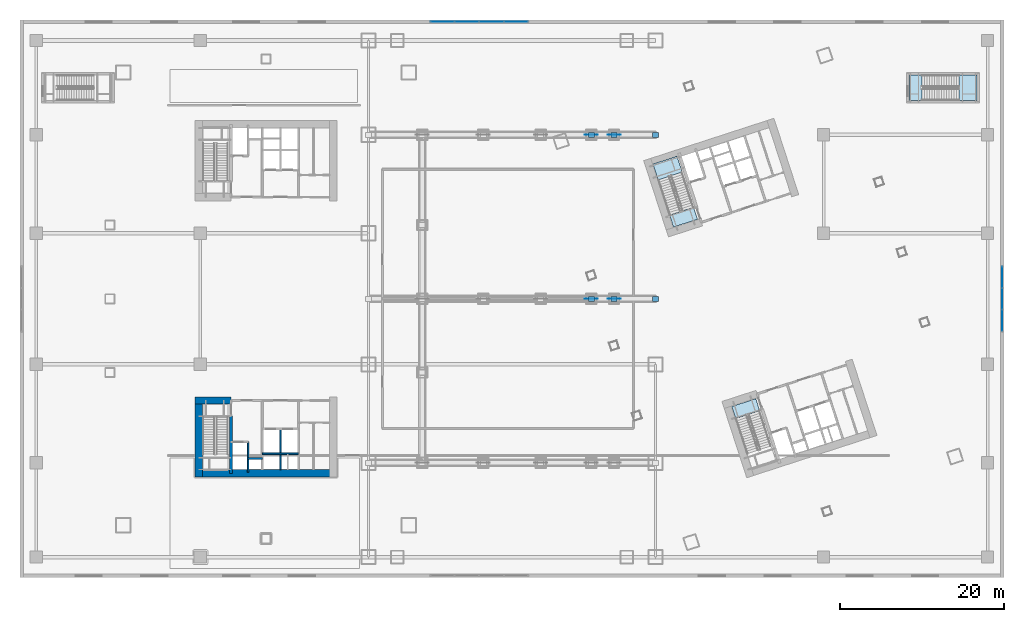
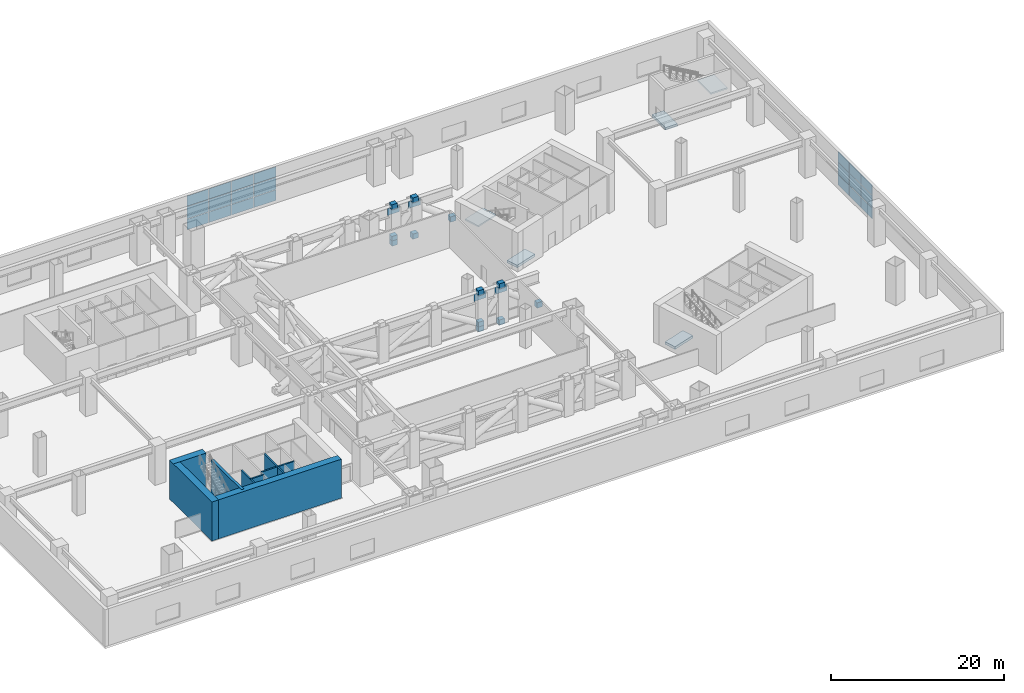
# One storey, part 22 of 34: 37 plates, 8 walls, 5 slabs, 4 elements without a shape of their own.
"""IFC4 building model written with IfcOpenShell, lengths in metres."""

from ifc_helpers import new_model, si_unit, direction, frame, frame_2d, origin, origin_2d, place, context, subcontext, project, spatial, polyline, rectangle, outline, extrude, material, layer, layer_set, type_object, element, aggregate, save


model = new_model("IFC4")

# Units and contexts
model_context = context("Model", 3, precision=1e-05, world=origin(), true_north=direction((0.0, 1.0)))
body_context = subcontext(model_context, "Body", "Model", "MODEL_VIEW")
ifc_project = project(units=[si_unit("LENGTHUNIT", "METRE"), si_unit("AREAUNIT", "SQUARE_METRE"), si_unit("VOLUMEUNIT", "CUBIC_METRE"), si_unit("PLANEANGLEUNIT", "RADIAN"), si_unit("MASSUNIT", "GRAM", prefix="KILO")], contexts=[model_context])

# Site, building, storey
site_placement = place(None, origin())
site = spatial("IfcSite", under=ifc_project, at=site_placement, CompositionType="ELEMENT")
building_placement = place(site_placement, origin())
building = spatial("IfcBuilding", under=site, at=building_placement, Name="Qiaolan Cultural Towers", CompositionType="ELEMENT")
storey_placement = place(building_placement, frame((0.0, 0.0, 16.5)))
storey = spatial("IfcBuildingStorey", under=building, at=storey_placement, Name="L03", CompositionType="ELEMENT", Elevation=16.5)

# Curtain wall, plates
ifc_material_1 = material(Name="Unitized Anodized Aluminium Curtain Wall System", Category="aluminium")
ifc_layer_1 = layer(ifc_material_1, 0.199951171875)
ifc_layer_set_1 = layer_set([ifc_layer_1], Name="Unitized Anodized Aluminium Curtain Wall System")
curtain_wall_type_1 = type_object("IfcCurtainWallType", Name="CWS-01", PredefinedType="NOTDEFINED", material=ifc_layer_set_1)
curtain_wall_1_placement = place(storey_placement, origin())
curtain_wall_1 = element("IfcCurtainWall", 1, at=curtain_wall_1_placement, inside=storey, type_object=curtain_wall_type_1, Name="L03 North Atrium Curtain Wall", PredefinedType="NOTDEFINED")
ifc_material_2 = material(Name="Laminated Low-E Insulating Glass Unit", Category="glass")
ifc_layer_2 = layer(ifc_material_2, 0.035888671875)
ifc_layer_set_2 = layer_set([ifc_layer_2], Name="Laminated Low-E Insulating Glass Unit")
plate_type_1 = type_object("IfcPlateType", Name="CWS-01-PNL", PredefinedType="CURTAIN_PANEL", material=ifc_layer_set_2)
plate_1_placement = place(storey_placement, frame((51.518798828125, 67.780029296875, 0.21484375), z_axis=(0.0, 0.0, 1.0), x_axis=(1.0, 0.0, 0.0)))
plate_1 = element("IfcPlate", 2, at=plate_1_placement, type_object=plate_type_1, Name="CW-1 panel 1.1", PredefinedType="CURTAIN_PANEL", context=body_context, shape_type="SweptSolid", body=[
    extrude(rectangle(XDim=2.887451171875, YDim=0.035888671875, at=origin_2d()), origin(), (0.0, 0.0, 1.0), 1.472412109375),
])
plate_2_placement = place(storey_placement, frame((51.518798828125, 67.780029296875, 1.75244140625), z_axis=(0.0, 0.0, 1.0), x_axis=(1.0, 0.0, 0.0)))
plate_2 = element("IfcPlate", 3, at=plate_2_placement, type_object=plate_type_1, Name="CW-1 panel 1.2", PredefinedType="CURTAIN_PANEL", context=body_context, shape_type="SweptSolid", body=[
    extrude(rectangle(XDim=2.887451171875, YDim=0.035888671875, at=origin_2d()), origin(), (0.0, 0.0, 1.0), 1.695068359375),
])
plate_3_placement = place(storey_placement, frame((51.518798828125, 67.780029296875, 3.5126953125), z_axis=(0.0, 0.0, 1.0), x_axis=(1.0, 0.0, 0.0)))
plate_3 = element("IfcPlate", 4, at=plate_3_placement, type_object=plate_type_1, Name="CW-1 panel 1.3", PredefinedType="CURTAIN_PANEL", context=body_context, shape_type="SweptSolid", body=[
    extrude(rectangle(XDim=2.887451171875, YDim=0.035888671875, at=origin_2d()), origin(), (0.0, 0.0, 1.0), 1.472412109375),
])
plate_4_placement = place(storey_placement, frame((54.5, 67.780029296875, 0.21484375), z_axis=(0.0, 0.0, 1.0), x_axis=(1.0, 0.0, 0.0)))
plate_4 = element("IfcPlate", 5, at=plate_4_placement, type_object=plate_type_1, Name="CW-1 panel 2.1", PredefinedType="CURTAIN_PANEL", context=body_context, shape_type="SweptSolid", body=[
    extrude(rectangle(XDim=2.925048828125, YDim=0.035888671875, at=origin_2d()), origin(), (0.0, 0.0, 1.0), 1.472412109375),
])
plate_5_placement = place(storey_placement, frame((54.5, 67.780029296875, 1.75244140625), z_axis=(0.0, 0.0, 1.0), x_axis=(1.0, 0.0, 0.0)))
plate_5 = element("IfcPlate", 6, at=plate_5_placement, type_object=plate_type_1, Name="CW-1 panel 2.2", PredefinedType="CURTAIN_PANEL", context=body_context, shape_type="SweptSolid", body=[
    extrude(rectangle(XDim=2.925048828125, YDim=0.035888671875, at=origin_2d()), origin(), (0.0, 0.0, 1.0), 1.695068359375),
])
plate_6_placement = place(storey_placement, frame((54.5, 67.780029296875, 3.5126953125), z_axis=(0.0, 0.0, 1.0), x_axis=(1.0, 0.0, 0.0)))
plate_6 = element("IfcPlate", 7, at=plate_6_placement, type_object=plate_type_1, Name="CW-1 panel 2.3", PredefinedType="CURTAIN_PANEL", context=body_context, shape_type="SweptSolid", body=[
    extrude(rectangle(XDim=2.925048828125, YDim=0.035888671875, at=origin_2d()), origin(), (0.0, 0.0, 1.0), 1.472412109375),
])
plate_7_placement = place(storey_placement, frame((57.5, 67.780029296875, 0.21484375), z_axis=(0.0, 0.0, 1.0), x_axis=(1.0, 0.0, 0.0)))
plate_7 = element("IfcPlate", 8, at=plate_7_placement, type_object=plate_type_1, Name="CW-1 panel 3.1", PredefinedType="CURTAIN_PANEL", context=body_context, shape_type="SweptSolid", body=[
    extrude(rectangle(XDim=2.925048828125, YDim=0.035888671875, at=origin_2d()), origin(), (0.0, 0.0, 1.0), 1.472412109375),
])
plate_8_placement = place(storey_placement, frame((57.5, 67.780029296875, 1.75244140625), z_axis=(0.0, 0.0, 1.0), x_axis=(1.0, 0.0, 0.0)))
plate_8 = element("IfcPlate", 9, at=plate_8_placement, type_object=plate_type_1, Name="CW-1 panel 3.2", PredefinedType="CURTAIN_PANEL", context=body_context, shape_type="SweptSolid", body=[
    extrude(rectangle(XDim=2.925048828125, YDim=0.035888671875, at=origin_2d()), origin(), (0.0, 0.0, 1.0), 1.695068359375),
])
plate_9_placement = place(storey_placement, frame((57.5, 67.780029296875, 3.5126953125), z_axis=(0.0, 0.0, 1.0), x_axis=(1.0, 0.0, 0.0)))
plate_9 = element("IfcPlate", 10, at=plate_9_placement, type_object=plate_type_1, Name="CW-1 panel 3.3", PredefinedType="CURTAIN_PANEL", context=body_context, shape_type="SweptSolid", body=[
    extrude(rectangle(XDim=2.925048828125, YDim=0.035888671875, at=origin_2d()), origin(), (0.0, 0.0, 1.0), 1.472412109375),
])
plate_10_placement = place(storey_placement, frame((60.481201171875, 67.780029296875, 0.21484375), z_axis=(0.0, 0.0, 1.0), x_axis=(1.0, 0.0, 0.0)))
plate_10 = element("IfcPlate", 11, at=plate_10_placement, type_object=plate_type_1, Name="CW-1 panel 4.1", PredefinedType="CURTAIN_PANEL", context=body_context, shape_type="SweptSolid", body=[
    extrude(rectangle(XDim=2.887451171875, YDim=0.035888671875, at=origin_2d()), origin(), (0.0, 0.0, 1.0), 1.472412109375),
])
plate_11_placement = place(storey_placement, frame((60.481201171875, 67.780029296875, 1.75244140625), z_axis=(0.0, 0.0, 1.0), x_axis=(1.0, 0.0, 0.0)))
plate_11 = element("IfcPlate", 12, at=plate_11_placement, type_object=plate_type_1, Name="CW-1 panel 4.2", PredefinedType="CURTAIN_PANEL", context=body_context, shape_type="SweptSolid", body=[
    extrude(rectangle(XDim=2.887451171875, YDim=0.035888671875, at=origin_2d()), origin(), (0.0, 0.0, 1.0), 1.695068359375),
])
plate_12_placement = place(storey_placement, frame((60.481201171875, 67.780029296875, 3.5126953125), z_axis=(0.0, 0.0, 1.0), x_axis=(1.0, 0.0, 0.0)))
plate_12 = element("IfcPlate", 13, at=plate_12_placement, type_object=plate_type_1, Name="CW-1 panel 4.3", PredefinedType="CURTAIN_PANEL", context=body_context, shape_type="SweptSolid", body=[
    extrude(rectangle(XDim=2.887451171875, YDim=0.035888671875, at=origin_2d()), origin(), (0.0, 0.0, 1.0), 1.472412109375),
])
aggregate(curtain_wall_1, [plate_1, plate_2, plate_3, plate_4, plate_5, plate_6, plate_7, plate_8, plate_9, plate_10, plate_11, plate_12])

ifc_material_3 = material(Name="Unitized Anodized Aluminium Curtain Wall System", Category="aluminium")
ifc_layer_3 = layer(ifc_material_3, 0.199951171875)
ifc_layer_set_3 = layer_set([ifc_layer_3], Name="Unitized Anodized Aluminium Curtain Wall System")
curtain_wall_type_2 = type_object("IfcCurtainWallType", Name="CWS-04", PredefinedType="NOTDEFINED", material=ifc_layer_set_3)
curtain_wall_2_placement = place(storey_placement, origin())
curtain_wall_2 = element("IfcCurtainWall", 14, at=curtain_wall_2_placement, inside=storey, type_object=curtain_wall_type_2, Name="L03 East Exhibition Foyer Curtain Wall", PredefinedType="NOTDEFINED")
ifc_material_4 = material(Name="Laminated Low-E Insulating Glass Unit", Category="glass")
ifc_layer_4 = layer(ifc_material_4, 0.035888671875)
ifc_layer_set_4 = layer_set([ifc_layer_4], Name="Laminated Low-E Insulating Glass Unit")
plate_type_2 = type_object("IfcPlateType", Name="CWS-04-PNL", PredefinedType="CURTAIN_PANEL", material=ifc_layer_set_4)
plate_13_placement = place(storey_placement, frame((119.780029296875, 31.35205078125, 0.21484375), z_axis=(0.0, 0.0, 1.0), x_axis=(0.0, 1.0, 0.0)))
plate_13 = element("IfcPlate", 15, at=plate_13_placement, type_object=plate_type_2, Name="CW-4 panel 1.1", PredefinedType="CURTAIN_PANEL", context=body_context, shape_type="SweptSolid", body=[
    extrude(rectangle(XDim=2.55419921875, YDim=0.035888671875, at=origin_2d()), origin(), (0.0, 0.0, 1.0), 1.472412109375),
])
plate_14_placement = place(storey_placement, frame((119.780029296875, 31.35205078125, 1.75244140625), z_axis=(0.0, 0.0, 1.0), x_axis=(0.0, 1.0, 0.0)))
plate_14 = element("IfcPlate", 16, at=plate_14_placement, type_object=plate_type_2, Name="CW-4 panel 1.2", PredefinedType="CURTAIN_PANEL", context=body_context, shape_type="SweptSolid", body=[
    extrude(rectangle(XDim=2.55419921875, YDim=0.035888671875, at=origin_2d()), origin(), (0.0, 0.0, 1.0), 1.695068359375),
])
plate_15_placement = place(storey_placement, frame((119.780029296875, 31.35205078125, 3.5126953125), z_axis=(0.0, 0.0, 1.0), x_axis=(0.0, 1.0, 0.0)))
plate_15 = element("IfcPlate", 17, at=plate_15_placement, type_object=plate_type_2, Name="CW-4 panel 1.3", PredefinedType="CURTAIN_PANEL", context=body_context, shape_type="SweptSolid", body=[
    extrude(rectangle(XDim=2.55419921875, YDim=0.035888671875, at=origin_2d()), origin(), (0.0, 0.0, 1.0), 1.472412109375),
])
plate_16_placement = place(storey_placement, frame((119.780029296875, 34.0, 0.21484375), z_axis=(0.0, 0.0, 1.0), x_axis=(0.0, 1.0, 0.0)))
plate_16 = element("IfcPlate", 18, at=plate_16_placement, type_object=plate_type_2, Name="CW-4 panel 2.1", PredefinedType="CURTAIN_PANEL", context=body_context, shape_type="SweptSolid", body=[
    extrude(rectangle(XDim=2.591552734375, YDim=0.035888671875, at=origin_2d()), origin(), (0.0, 0.0, 1.0), 1.472412109375),
])
plate_17_placement = place(storey_placement, frame((119.780029296875, 34.0, 1.75244140625), z_axis=(0.0, 0.0, 1.0), x_axis=(0.0, 1.0, 0.0)))
plate_17 = element("IfcPlate", 19, at=plate_17_placement, type_object=plate_type_2, Name="CW-4 panel 2.2", PredefinedType="CURTAIN_PANEL", context=body_context, shape_type="SweptSolid", body=[
    extrude(rectangle(XDim=2.591552734375, YDim=0.035888671875, at=origin_2d()), origin(), (0.0, 0.0, 1.0), 1.695068359375),
])
plate_18_placement = place(storey_placement, frame((119.780029296875, 34.0, 3.5126953125), z_axis=(0.0, 0.0, 1.0), x_axis=(0.0, 1.0, 0.0)))
plate_18 = element("IfcPlate", 20, at=plate_18_placement, type_object=plate_type_2, Name="CW-4 panel 2.3", PredefinedType="CURTAIN_PANEL", context=body_context, shape_type="SweptSolid", body=[
    extrude(rectangle(XDim=2.591552734375, YDim=0.035888671875, at=origin_2d()), origin(), (0.0, 0.0, 1.0), 1.472412109375),
])
plate_19_placement = place(storey_placement, frame((119.780029296875, 36.64794921875, 0.21484375), z_axis=(0.0, 0.0, 1.0), x_axis=(0.0, 1.0, 0.0)))
plate_19 = element("IfcPlate", 21, at=plate_19_placement, type_object=plate_type_2, Name="CW-4 panel 3.1", PredefinedType="CURTAIN_PANEL", context=body_context, shape_type="SweptSolid", body=[
    extrude(rectangle(XDim=2.55419921875, YDim=0.035888671875, at=origin_2d()), origin(), (0.0, 0.0, 1.0), 1.472412109375),
])
plate_20_placement = place(storey_placement, frame((119.780029296875, 36.64794921875, 1.75244140625), z_axis=(0.0, 0.0, 1.0), x_axis=(0.0, 1.0, 0.0)))
plate_20 = element("IfcPlate", 22, at=plate_20_placement, type_object=plate_type_2, Name="CW-4 panel 3.2", PredefinedType="CURTAIN_PANEL", context=body_context, shape_type="SweptSolid", body=[
    extrude(rectangle(XDim=2.55419921875, YDim=0.035888671875, at=origin_2d()), origin(), (0.0, 0.0, 1.0), 1.695068359375),
])
plate_21_placement = place(storey_placement, frame((119.780029296875, 36.64794921875, 3.5126953125), z_axis=(0.0, 0.0, 1.0), x_axis=(0.0, 1.0, 0.0)))
plate_21 = element("IfcPlate", 23, at=plate_21_placement, type_object=plate_type_2, Name="CW-4 panel 3.3", PredefinedType="CURTAIN_PANEL", context=body_context, shape_type="SweptSolid", body=[
    extrude(rectangle(XDim=2.55419921875, YDim=0.035888671875, at=origin_2d()), origin(), (0.0, 0.0, 1.0), 1.472412109375),
])
aggregate(curtain_wall_2, [plate_13, plate_14, plate_15, plate_16, plate_17, plate_18, plate_19, plate_20, plate_21])

# Plates
ifc_material_5 = material(Name="Steel Q355B", Category="steel")
ifc_layer_5 = layer(ifc_material_5, 0.035888671875)
ifc_layer_set_5 = layer_set([ifc_layer_5], Name="Steel Q355B")
plate_type_3 = type_object("IfcPlateType", Name="PL-CONN-36", PredefinedType="USERDEFINED", material=ifc_layer_set_5)
for number, where, z_axis, x_axis, name in (
    (24, (69.671875, 34.0, 0.330078125), (0.0, 0.0, 1.0), (1.0, 0.0, 0.0), "L03 Brace End Connection Gusset Plate GP-02-0017"),
    (25, (77.5, 34.0, 0.330078125), (0.0, 0.0, 1.0), (1.0, 0.0, 0.0), "L03 Brace End Connection Gusset Plate GP-02-0018"),
    (26, (69.671875, 34.0, -0.31982421875), (0.0, 0.0, 1.0), (1.0, 0.0, 0.0), "L03 Brace End Connection Gusset Plate GP-02-0025"),
    (27, (69.671875, 34.0, 4.77978515625), (0.0, 0.0, 1.0), (1.0, 0.0, 0.0), "L03 Brace End Connection Gusset Plate GP-02-0026"),
    (28, (72.453125, 34.0, -0.31982421875), (0.0, 0.0, 1.0), (1.0, 0.0, 0.0), "L03 Brace End Connection Gusset Plate GP-02-0027"),
    (29, (72.453125, 34.0, 4.77978515625), (0.0, 0.0, 1.0), (1.0, 0.0, 0.0), "L03 Brace End Connection Gusset Plate GP-02-0028"),
    (30, (69.671875, 54.0, 0.330078125), (0.0, 0.0, 1.0), (1.0, 0.0, 0.0), "L03 Brace End Connection Gusset Plate GP-02-0031"),
    (31, (77.5, 54.0, 0.330078125), (0.0, 0.0, 1.0), (1.0, 0.0, 0.0), "L03 Brace End Connection Gusset Plate GP-02-0032"),
    (32, (69.671875, 54.0, -0.31982421875), (0.0, 0.0, 1.0), (1.0, 0.0, 0.0), "L03 Brace End Connection Gusset Plate GP-02-0039"),
    (33, (69.671875, 54.0, 4.77978515625), (0.0, 0.0, 1.0), (1.0, 0.0, 0.0), "L03 Brace End Connection Gusset Plate GP-02-0040"),
    (34, (72.453125, 54.0, -0.31982421875), (0.0, 0.0, 1.0), (1.0, 0.0, 0.0), "L03 Brace End Connection Gusset Plate GP-02-0041"),
    (35, (72.453125, 54.0, 4.77978515625), (0.0, 0.0, 1.0), (1.0, 0.0, 0.0), "L03 Brace End Connection Gusset Plate GP-02-0042"),
):
    element("IfcPlate", number, at=place(storey_placement, frame(where, z_axis=z_axis, x_axis=x_axis)), inside=storey, type_object=plate_type_3, Name=name, ObjectType="GUSSET_PLATE", PredefinedType="USERDEFINED", context=body_context, shape_type="SweptSolid", body=[
        extrude(rectangle(XDim=0.739990234375, YDim=0.6201171875, at=origin_2d()), origin(), (0.0, 0.0, 1.0), 0.739990234375),
    ])
ifc_material_6 = material(Name="Steel Q390GJB", Category="steel")
ifc_layer_6 = layer(ifc_material_6, 0.0458984375)
ifc_layer_set_6 = layer_set([ifc_layer_6], Name="Steel Q390GJB")
plate_type_4 = type_object("IfcPlateType", Name="PL-NODE-ND07", PredefinedType="USERDEFINED", material=ifc_layer_set_6)
plate_22_placement = place(storey_placement, frame((69.671875, 34.0, 4.0), z_axis=(0.0, 0.0, 1.0), x_axis=(1.0, 0.0, 0.0)))
element("IfcPlate", 36, at=plate_22_placement, inside=storey, type_object=plate_type_4, Name="Transfer Truss Node Gusset Assembly ND-07", ObjectType="GUSSET_PLATE", PredefinedType="USERDEFINED", context=body_context, shape_type="SweptSolid", body=[
    extrude(rectangle(XDim=1.60009765625, YDim=0.044921875, at=origin_2d()), origin(), (0.0, 0.0, 1.0), 1.0),
])
ifc_material_7 = material(Name="Steel Q390GJB", Category="steel")
ifc_layer_7 = layer(ifc_material_7, 0.0400390625)
ifc_layer_set_7 = layer_set([ifc_layer_7], Name="Steel Q390GJB")
plate_type_5 = type_object("IfcPlateType", Name="PL-NODE-ND08", PredefinedType="USERDEFINED", material=ifc_layer_set_7)
for number, where, z_axis, x_axis, name in (
    (37, (72.453125, 34.0, 4.0), (0.0, 0.0, 1.0), (1.0, 0.0, 0.0), "Transfer Truss Node Gusset Assembly ND-08"),
    (38, (69.671875, 54.0, 4.0), (0.0, 0.0, 1.0), (1.0, 0.0, 0.0), "Transfer Truss Node Gusset Assembly ND-08"),
):
    element("IfcPlate", number, at=place(storey_placement, frame(where, z_axis=z_axis, x_axis=x_axis)), inside=storey, type_object=plate_type_5, Name=name, ObjectType="GUSSET_PLATE", PredefinedType="USERDEFINED", context=body_context, shape_type="SweptSolid", body=[
        extrude(rectangle(XDim=1.60009765625, YDim=0.044921875, at=origin_2d()), origin(), (0.0, 0.0, 1.0), 1.0),
    ])
ifc_material_8 = material(Name="Steel Q390GJB", Category="steel")
ifc_layer_8 = layer(ifc_material_8, 0.0419921875)
ifc_layer_set_8 = layer_set([ifc_layer_8], Name="Steel Q390GJB")
plate_type_6 = type_object("IfcPlateType", Name="PL-NODE-ND09", PredefinedType="USERDEFINED", material=ifc_layer_set_8)
plate_23_placement = place(storey_placement, frame((72.453125, 54.0, 4.0), z_axis=(0.0, 0.0, 1.0), x_axis=(1.0, 0.0, 0.0)))
element("IfcPlate", 39, at=plate_23_placement, inside=storey, type_object=plate_type_6, Name="Transfer Truss Node Gusset Assembly ND-09", ObjectType="GUSSET_PLATE", PredefinedType="USERDEFINED", context=body_context, shape_type="SweptSolid", body=[
    extrude(rectangle(XDim=1.60009765625, YDim=0.044921875, at=origin_2d()), origin(), (0.0, 0.0, 1.0), 1.0),
])

# Stair, slab
ifc_material_9 = material(Name="Concrete C45", Category="concrete")
stair_type_1 = type_object("IfcStairType", Name="STR-CORE-1500", PredefinedType="HALF_TURN_STAIR", material=ifc_material_9)
stair_1_placement = place(storey_placement, origin())
stair_1 = element("IfcStair", 40, at=stair_1_placement, inside=storey, type_object=stair_type_1, Name="L03 Smokeproof Exit Stair ST-E2", PredefinedType="HALF_TURN_STAIR")
ifc_material_10 = material(Name="Concrete C45", Category="concrete")
ifc_layer_9 = layer(ifc_material_10, 0.199951171875)
ifc_layer_set_9 = layer_set([ifc_layer_9], Name="Concrete C45")
slab_type_1 = type_object("IfcSlabType", Name="SL-STAIR-LAND", PredefinedType="LANDING", material=ifc_layer_set_9)
slab_1_placement = place(storey_placement, frame((0.0, 0.0, 2.550048828125)))
slab_1 = element("IfcSlab", 41, at=slab_1_placement, type_object=slab_type_1, Name="ST-E2 landing 1", PredefinedType="LANDING", context=body_context, shape_type="SweptSolid", body=[
    extrude(outline(polyline([(80.75390625, 49.447509765625), (80.1201171875, 51.3984375), (77.190673828125, 50.44677734375), (77.82470703125, 48.495849609375), (80.75390625, 49.447509765625)])), origin(), (0.0, 0.0, 1.0), 0.199951171875),
])
aggregate(stair_1, [slab_1])

ifc_material_11 = material(Name="Concrete C45", Category="concrete")
stair_type_2 = type_object("IfcStairType", Name="STR-POD-1650", PredefinedType="HALF_TURN_STAIR", material=ifc_material_11)
stair_2_placement = place(storey_placement, origin())
stair_2 = element("IfcStair", 42, at=stair_2_placement, inside=storey, type_object=stair_type_2, Name="L03 Podium Northeast Exit Stair ST-P2", PredefinedType="HALF_TURN_STAIR")
slab_2_placement = place(storey_placement, frame((0.0, 0.0, 2.550048828125)))
slab_2 = element("IfcSlab", 43, at=slab_2_placement, type_object=slab_type_1, Name="ST-P2 landing 1", PredefinedType="LANDING", context=body_context, shape_type="SweptSolid", body=[
    extrude(outline(polyline([(114.498779296875, 58.199951171875), (116.699951171875, 58.199951171875), (116.699951171875, 61.300048828125), (114.498779296875, 61.300048828125), (114.498779296875, 58.199951171875)])), origin(), (0.0, 0.0, 1.0), 0.199951171875),
])
aggregate(stair_2, [slab_2])

# Slabs
ifc_material_12 = material(Name="Concrete C40", Category="concrete")
ifc_layer_10 = layer(ifc_material_12, 0.360107421875)
ifc_layer_set_10 = layer_set([ifc_layer_10], Name="Concrete C40")
slab_type_2 = type_object("IfcSlabType", Name="SL-STFLR-360", PredefinedType="LANDING", material=ifc_layer_set_10)
slab_3_placement = place(storey_placement, frame((0.0, 0.0, -0.360107421875)))
element("IfcSlab", 44, at=slab_3_placement, inside=storey, type_object=slab_type_2, Name="L03 ST-E1 Stair Floor Landing Slab", PredefinedType="LANDING", context=body_context, shape_type="SweptSolid", body=[
    extrude(outline(polyline([(86.8037109375, 20.867431640625), (87.282470703125, 19.39404296875), (90.2080078125, 20.3447265625), (89.729248046875, 21.818115234375), (86.8037109375, 20.867431640625)])), origin(), (0.0, 0.0, 1.0), 0.360107421875),
])
slab_4_placement = place(storey_placement, frame((0.0, 0.0, -0.360107421875)))
element("IfcSlab", 45, at=slab_4_placement, inside=storey, type_object=slab_type_2, Name="L03 ST-E2 Stair Floor Landing Slab", PredefinedType="LANDING", context=body_context, shape_type="SweptSolid", body=[
    extrude(outline(polyline([(82.62060546875, 43.6962890625), (82.141845703125, 45.169677734375), (79.21630859375, 44.21923828125), (79.695068359375, 42.74560546875), (82.62060546875, 43.6962890625)])), origin(), (0.0, 0.0, 1.0), 0.360107421875),
])
slab_5_placement = place(storey_placement, frame((0.0, 0.0, -0.360107421875)))
element("IfcSlab", 46, at=slab_5_placement, inside=storey, type_object=slab_type_2, Name="L03 ST-P2 Stair Floor Landing Slab", PredefinedType="LANDING", context=body_context, shape_type="SweptSolid", body=[
    extrude(outline(polyline([(108.402099609375, 58.201904296875), (110.001220703125, 58.201904296875), (110.001220703125, 61.298095703125), (108.402099609375, 61.298095703125), (108.402099609375, 58.201904296875)])), origin(), (0.0, 0.0, 1.0), 0.360107421875),
])

# Walls
ifc_material_13 = material(Name="Concrete C50", Category="concrete")
ifc_layer_11 = layer(ifc_material_13, 0.35009765625)
ifc_layer_set_11 = layer_set([ifc_layer_11], Name="Concrete C50")
wall_type_1 = type_object("IfcWallType", Name="WL-CORE-350", PredefinedType="SHEAR", material=ifc_layer_set_11)
wall_1_placement = place(storey_placement, frame((25.719970703125, 19.699951171875, 0.0), z_axis=(0.0, 0.0, 1.0), x_axis=(0.0, -1.0, 0.0)))
element("IfcWall", 47, at=wall_1_placement, inside=storey, type_object=wall_type_1, Name="L03 T1-CS Stair Core Dividing Web", PredefinedType="SHEAR", context=body_context, shape_type="SweptSolid", body=[
    extrude(rectangle(XDim=6.97998046875, YDim=0.35009765625, at=frame_2d((3.489990234375, 0.0))), origin(), (0.0, 0.0, 1.0), 5.5),
])
ifc_material_14 = material(Name="Concrete C60", Category="concrete")
ifc_layer_12 = layer(ifc_material_14, 0.89990234375)
ifc_layer_set_12 = layer_set([ifc_layer_12], Name="Concrete C60")
wall_type_2 = type_object("IfcWallType", Name="WL-CORE-900", PredefinedType="SHEAR", material=ifc_layer_set_12)
wall_2_placement = place(storey_placement, frame((21.35009765625, 12.719970703125, 0.0), z_axis=(0.0, 0.0, 1.0), x_axis=(1.0, 0.0, 0.0)))
element("IfcWall", 48, at=wall_2_placement, inside=storey, type_object=wall_type_2, Name="L03 T1-CS Outer Core Shear Wall", PredefinedType="SHEAR", context=body_context, shape_type="SweptSolid", body=[
    extrude(rectangle(XDim=17.2998046875, YDim=0.89990234375, at=frame_2d((8.64990234375, 0.0))), origin(), (0.0, 0.0, 1.0), 5.5),
])
wall_3_placement = place(storey_placement, frame((21.800048828125, 22.050048828125, 0.0), z_axis=(0.0, 0.0, 1.0), x_axis=(0.0, -1.0, 0.0)))
element("IfcWall", 49, at=wall_3_placement, inside=storey, type_object=wall_type_2, Name="L03 T1-CS West Core Shear Wall", PredefinedType="SHEAR", context=body_context, shape_type="SweptSolid", body=[
    extrude(rectangle(XDim=9.780029296875, YDim=0.89990234375, at=frame_2d((4.89013671875, 0.0))), origin(), (0.0, 0.0, 1.0), 5.5),
])
wall_4_placement = place(storey_placement, frame((21.35009765625, 21.60009765625, 0.0), z_axis=(0.0, 0.0, 1.0), x_axis=(1.0, 0.0, 0.0)))
element("IfcWall", 50, at=wall_4_placement, inside=storey, type_object=wall_type_2, Name="L03 T1-CS Stair Front Shear Wall", PredefinedType="SHEAR", context=body_context, shape_type="SweptSolid", body=[
    extrude(rectangle(XDim=4.369873046875, YDim=0.89990234375, at=frame_2d((2.18505859375, 0.0))), origin(), (0.0, 0.0, 1.0), 5.5),
])
ifc_material_15 = material(Name="Concrete C35 Fire Wall", Category="concrete")
ifc_layer_13 = layer(ifc_material_15, 0.199951171875)
ifc_layer_set_13 = layer_set([ifc_layer_13], Name="Concrete C35 Fire Wall")
wall_type_3 = type_object("IfcWallType", Name="WL-FIRE-200", PredefinedType="PARTITIONING", material=ifc_layer_set_13)
wall_5_placement = place(storey_placement, frame((27.820068359375, 16.550048828125, 0.0), z_axis=(0.0, 0.0, 1.0), x_axis=(0.0, -1.0, 0.0)))
element("IfcWall", 51, at=wall_5_placement, inside=storey, type_object=wall_type_3, Name="L03 T1-CS Firefighting Hoistway East Wall", PredefinedType="PARTITIONING", context=body_context, shape_type="SweptSolid", body=[
    extrude(rectangle(XDim=3.699951171875, YDim=0.199951171875, at=frame_2d((1.85009765625, 0.0))), origin(), (0.0, 0.0, 1.0), 5.18505859375),
])
wall_6_placement = place(storey_placement, frame((27.820068359375, 14.52001953125, 0.0), z_axis=(0.0, 0.0, 1.0), x_axis=(1.0, 0.0, 0.0)))
element("IfcWall", 52, at=wall_6_placement, inside=storey, type_object=wall_type_3, Name="L03 T1-CS Pressurization Shaft Front Wall", PredefinedType="PARTITIONING", context=body_context, shape_type="SweptSolid", body=[
    extrude(rectangle(XDim=1.72998046875, YDim=0.199951171875, at=frame_2d((0.864990234375, 0.0))), origin(), (0.0, 0.0, 1.0), 5.18505859375),
])
wall_7_placement = place(storey_placement, frame((31.780029296875, 18.1201171875, 0.0), z_axis=(0.0, 0.0, 1.0), x_axis=(0.0, -1.0, 0.0)))
element("IfcWall", 53, at=wall_7_placement, inside=storey, type_object=wall_type_3, Name="L03 T1-CS Lift Shaft Divider Wall", PredefinedType="PARTITIONING", context=body_context, shape_type="SweptSolid", body=[
    extrude(rectangle(XDim=4.9501953125, YDim=0.199951171875, at=frame_2d((2.47509765625, 0.0))), origin(), (0.0, 0.0, 1.0), 5.18505859375),
])
wall_8_placement = place(storey_placement, frame((29.550048828125, 15.10009765625, 0.0), z_axis=(0.0, 0.0, 1.0), x_axis=(1.0, 0.0, 0.0)))
element("IfcWall", 54, at=wall_8_placement, inside=storey, type_object=wall_type_3, Name="L03 T1-CS Passenger Lift Shaft Back Wall", PredefinedType="PARTITIONING", context=body_context, shape_type="SweptSolid", body=[
    extrude(rectangle(XDim=4.39990234375, YDim=0.199951171875, at=frame_2d((2.199951171875, 0.0))), origin(), (0.0, 0.0, 1.0), 5.18505859375),
])

save(model, "model.ifc")
